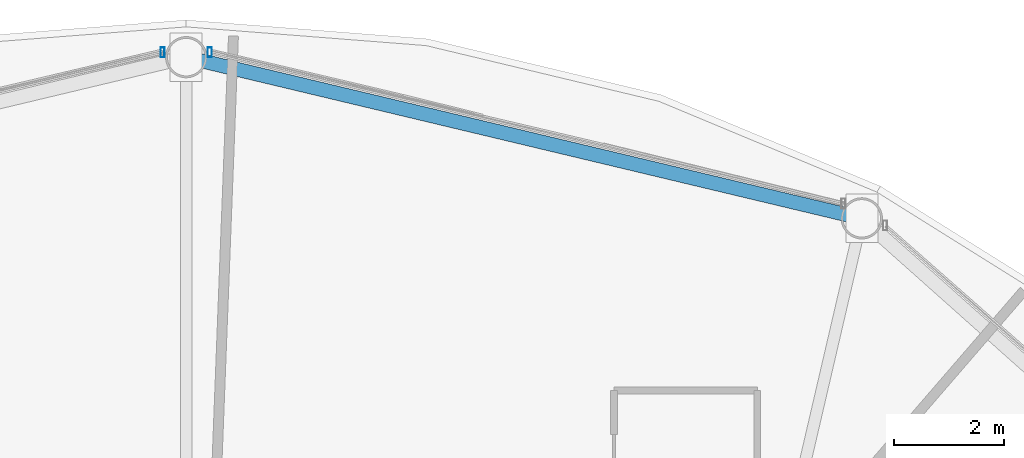
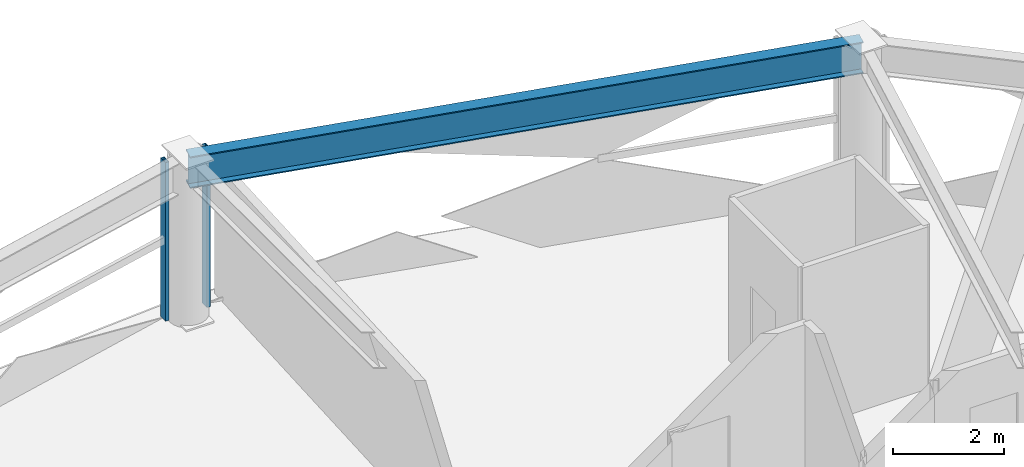
# One storey, part 17 of 29: 2 members, 1 beam, 2 elements without a shape of their own.
"""IFC4 building model written with IfcOpenShell, lengths in metres."""

from ifc_helpers import new_model, si_unit, direction, frame, origin, origin_2d, place, context, subcontext, project, spatial, hollow_rectangle, i_section, extrude, material, layer, layer_set, material_profile, profile_set, type_object, element, aggregate, save


model = new_model("IFC4")

# Units and contexts
model_context = context("Model", 3, precision=1e-05, world=origin(), true_north=direction((0.0, 1.0)))
body_context = subcontext(model_context, "Body", "Model", "MODEL_VIEW")
ifc_project = project(units=[si_unit("LENGTHUNIT", "METRE"), si_unit("AREAUNIT", "SQUARE_METRE"), si_unit("VOLUMEUNIT", "CUBIC_METRE"), si_unit("PLANEANGLEUNIT", "RADIAN"), si_unit("MASSUNIT", "GRAM", prefix="KILO")], contexts=[model_context])

# Site, building, storey
site_placement = place(None, origin())
site = spatial("IfcSite", under=ifc_project, at=site_placement, CompositionType="ELEMENT")
building_placement = place(site_placement, origin())
building = spatial("IfcBuilding", under=site, at=building_placement, Name="Vantalir Tower", CompositionType="ELEMENT")
storey_placement = place(building_placement, frame((0.0, 0.0, 168.449951171875)))
storey = spatial("IfcBuildingStorey", under=building, at=storey_placement, Name="L42", CompositionType="ELEMENT", Elevation=168.449951171875)

# Beam
ifc_material_1 = material(Name="Steel S460", Category="steel")
ifc_material_profile_1 = material_profile(ifc_material_1, i_section(OverallWidth=0.256103515625, OverallDepth=0.693115234375, WebThickness=0.014404296875, FlangeThickness=0.023681640625, at=origin_2d()), Name="Steel S460")
ifc_profile_set_1 = profile_set([ifc_material_profile_1], Name="Steel S460")
beam_type = type_object("IfcBeamType", Name="BM-RG-686x254", PredefinedType="USERDEFINED", material=ifc_profile_set_1)
beam_placement = place(storey_placement, frame((43.76806640625, 43.9208984375, 3.22412109375), z_axis=(-0.972698315596, 0.232073235934, 0.0), x_axis=(-0.232073235934, -0.972698315596, 0.0)))
element("IfcBeam", 1, at=beam_placement, inside=storey, type_object=beam_type, Name="L42 Circumferential Ring Girder 03", ObjectType="GIRDER", PredefinedType="USERDEFINED", context=body_context, shape_type="SweptSolid", body=[
    extrude(i_section(OverallWidth=0.256103515625, OverallDepth=0.693115234375, WebThickness=0.014404296875, FlangeThickness=0.023681640625, at=origin_2d()), origin(), (0.0, 0.0, 1.0), 12.6123046875),
])

# Curtain wall, member
ifc_material_2 = material(Name="Champagne-silver PVDF aluminium and double-silver Low-E glass", Category="aluminium")
ifc_layer = layer(ifc_material_2, 0.199951171875)
ifc_layer_set = layer_set([ifc_layer], Name="Champagne-silver PVDF aluminium and double-silver Low-E glass")
curtain_wall_type = type_object("IfcCurtainWallType", Name="CW-DIAMOND-Z2", PredefinedType="USERDEFINED", material=ifc_layer_set)
curtain_wall_1_placement = place(storey_placement, origin())
curtain_wall_1 = element("IfcCurtainWall", 2, at=curtain_wall_1_placement, inside=storey, type_object=curtain_wall_type, Name="L42 Quilted Pyramid-Diamond Curtain Wall S03", ObjectType="UNITISED CURTAIN WALL", PredefinedType="USERDEFINED")
ifc_material_3 = material(Name="Champagne-silver PVDF aluminium 6063-T6", Category="aluminium")
ifc_material_profile_2 = material_profile(ifc_material_3, hollow_rectangle(XDim=0.074951171875, YDim=0.179931640625, WallThickness=0.00390625, at=origin_2d()), Name="Champagne-silver PVDF aluminium 6063-T6")
ifc_profile_set_2 = profile_set([ifc_material_profile_2], Name="Champagne-silver PVDF aluminium 6063-T6")
member_type = type_object("IfcMemberType", Name="CWM-180x75", PredefinedType="MULLION", material=ifc_profile_set_2)
member_1_placement = place(storey_placement, frame((31.927978515625, 46.93603515625, 0.045166015625), z_axis=(0.0, 0.0, 1.0), x_axis=(1.0, 0.0, 0.0)))
member_1 = element("IfcMember", 3, at=member_1_placement, type_object=member_type, Name="CW-L42-S03 Mullion 2", PredefinedType="MULLION", context=body_context, shape_type="SweptSolid", body=[
    extrude(hollow_rectangle(XDim=0.074951171875, YDim=0.179931640625, WallThickness=0.00390625, at=origin_2d()), origin(), (0.0, 0.0, 1.0), 3.47998046875),
])
aggregate(curtain_wall_1, [member_1])

curtain_wall_2_placement = place(storey_placement, origin())
curtain_wall_2 = element("IfcCurtainWall", 4, at=curtain_wall_2_placement, inside=storey, type_object=curtain_wall_type, Name="L42 Quilted Pyramid-Diamond Curtain Wall S04", ObjectType="UNITISED CURTAIN WALL", PredefinedType="USERDEFINED")
member_2_placement = place(storey_placement, frame((31.072021484375, 46.93603515625, 0.045166015625), z_axis=(0.0, 0.0, 1.0), x_axis=(1.0, 0.0, 0.0)))
member_2 = element("IfcMember", 5, at=member_2_placement, type_object=member_type, Name="CW-L42-S04 Mullion 1", PredefinedType="MULLION", context=body_context, shape_type="SweptSolid", body=[
    extrude(hollow_rectangle(XDim=0.074951171875, YDim=0.179931640625, WallThickness=0.00390625, at=origin_2d()), origin(), (0.0, 0.0, 1.0), 3.47998046875),
])
aggregate(curtain_wall_2, [member_2])

save(model, "model.ifc")
